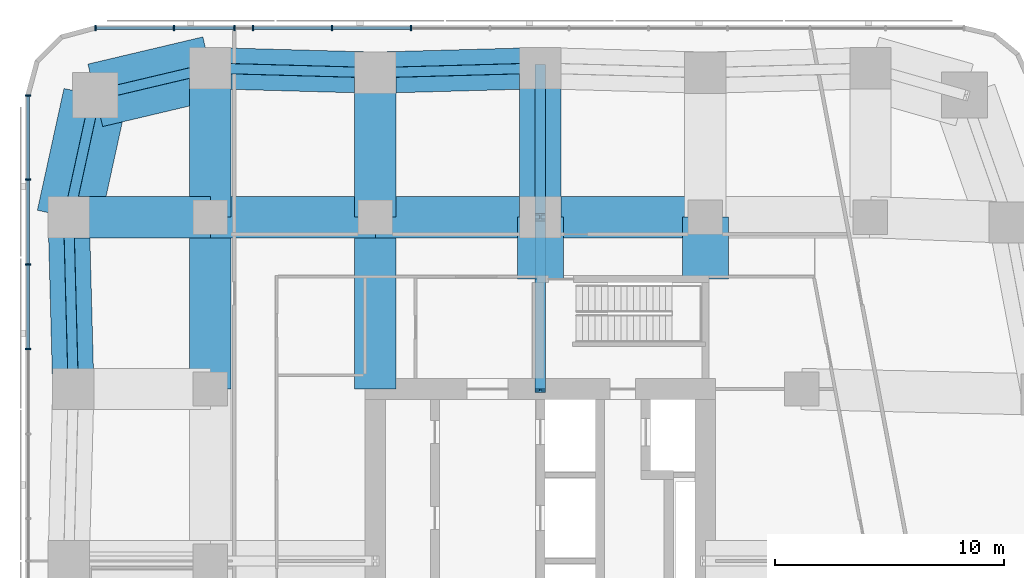
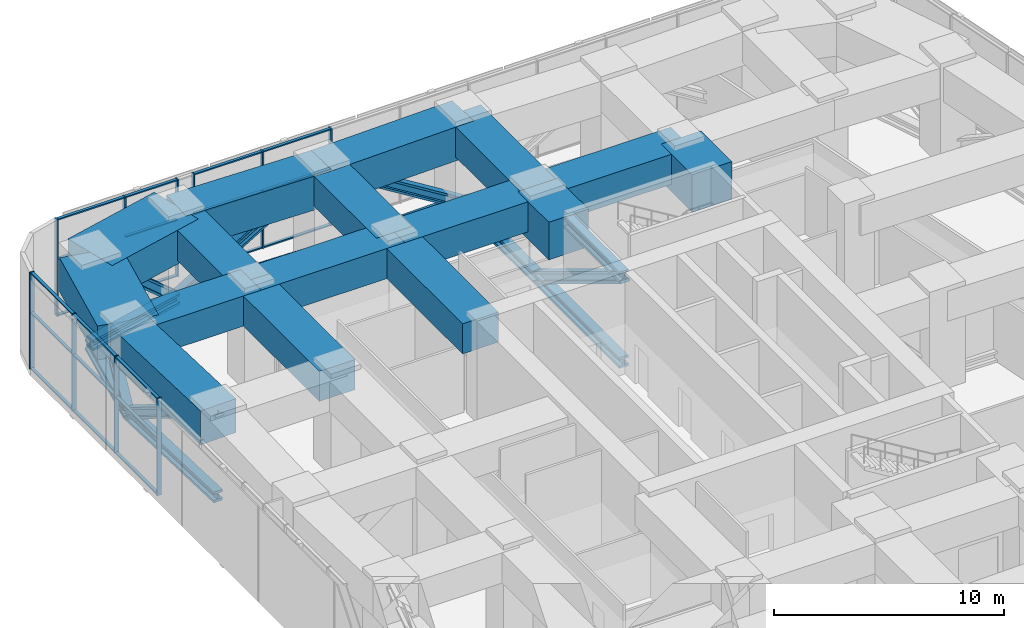
# One storey, part 7 of 17: 46 members, 16 beams, 2 elements without a shape of their own.
"""IFC4 building model written with IfcOpenShell, lengths in metres."""

from ifc_helpers import new_model, si_unit, direction, frame, origin, origin_2d, place, context, subcontext, project, spatial, rectangle, i_section, extrude, material, material_profile, profile_set, type_object, element, aggregate, save


model = new_model("IFC4")

# Units and contexts
model_context = context("Model", 3, precision=1e-05, world=origin(), true_north=direction((0.0, 1.0)))
body_context = subcontext(model_context, "Body", "Model", "MODEL_VIEW")
ifc_project = project(units=[si_unit("LENGTHUNIT", "METRE"), si_unit("AREAUNIT", "SQUARE_METRE"), si_unit("VOLUMEUNIT", "CUBIC_METRE"), si_unit("PLANEANGLEUNIT", "RADIAN"), si_unit("MASSUNIT", "GRAM", prefix="KILO")], contexts=[model_context])

# Site, building, storey
site_placement = place(None, origin())
site = spatial("IfcSite", under=ifc_project, at=site_placement, CompositionType="ELEMENT")
building_placement = place(site_placement, origin())
building = spatial("IfcBuilding", under=site, at=building_placement, Name="Sheger Commons Tower", CompositionType="ELEMENT")
storey_placement = place(building_placement, frame((0.0, 0.0, 188.300048828125)))
storey = spatial("IfcBuildingStorey", under=building, at=storey_placement, Name="L48", CompositionType="ELEMENT", Elevation=188.300048828125)

# Beams
ifc_material_1 = material(Name="Concrete C50/60", Category="concrete")
ifc_material_profile_1 = material_profile(ifc_material_1, rectangle(XDim=1.800048828125, YDim=1.60009765625, at=origin_2d()), Name="RC 1800x1600")
ifc_profile_set_1 = profile_set([ifc_material_profile_1], Name="Concrete C50/60")
beam_type_1 = type_object("IfcBeamType", Name="BEAM RC 1800x1600", PredefinedType="BEAM", material=ifc_profile_set_1)
beam_1_placement = place(storey_placement, frame((1.02490234375, 37.5, 4.349853515625), z_axis=(1.0, 0.0, 0.0), x_axis=(0.0, 1.0, 0.0)))
element("IfcBeam", 1, at=beam_1_placement, inside=storey, type_object=beam_type_1, Name="Beam 1/F-2/F under L49", PredefinedType="BEAM", context=body_context, shape_type="SweptSolid", body=[
    extrude(rectangle(XDim=1.800048828125, YDim=1.60009765625, at=origin_2d()), origin(), (0.0, 0.0, 1.0), 6.175048828125),
])
beam_2_placement = place(storey_placement, frame((7.199951171875, 37.5, 4.349853515625), z_axis=(1.0, 0.0, 0.0), x_axis=(0.0, 1.0, 0.0)))
element("IfcBeam", 2, at=beam_2_placement, inside=storey, type_object=beam_type_1, Name="Beam 2/F-3/F under L49", PredefinedType="BEAM", context=body_context, shape_type="SweptSolid", body=[
    extrude(rectangle(XDim=1.800048828125, YDim=1.60009765625, at=origin_2d()), origin(), (0.0, 0.0, 1.0), 7.199951171875),
])
beam_3_placement = place(storey_placement, frame((14.39990234375, 37.5, 4.349853515625), z_axis=(1.0, 0.0, 0.0), x_axis=(0.0, 1.0, 0.0)))
element("IfcBeam", 3, at=beam_3_placement, inside=storey, type_object=beam_type_1, Name="Beam 3/F-4/F under L49", PredefinedType="BEAM", context=body_context, shape_type="SweptSolid", body=[
    extrude(rectangle(XDim=1.800048828125, YDim=1.60009765625, at=origin_2d()), origin(), (0.0, 0.0, 1.0), 7.2001953125),
])
beam_4_placement = place(storey_placement, frame((21.60009765625, 37.5, 4.349853515625), z_axis=(1.0, 0.0, 0.0), x_axis=(0.0, 1.0, 0.0)))
element("IfcBeam", 4, at=beam_4_placement, inside=storey, type_object=beam_type_1, Name="Beam 4/F-5/F under L49", PredefinedType="BEAM", context=body_context, shape_type="SweptSolid", body=[
    extrude(rectangle(XDim=1.800048828125, YDim=1.60009765625, at=origin_2d()), origin(), (0.0, 0.0, 1.0), 7.199951171875),
])
beam_5_placement = place(storey_placement, frame((7.199951171875, 30.0, 4.349853515625), z_axis=(0.0, 1.0, 0.0), x_axis=(-1.0, 0.0, 0.0)))
element("IfcBeam", 5, at=beam_5_placement, inside=storey, type_object=beam_type_1, Name="Beam 2/E-2/F under L49", PredefinedType="BEAM", context=body_context, shape_type="SweptSolid", body=[
    extrude(rectangle(XDim=1.800048828125, YDim=1.60009765625, at=origin_2d()), origin(), (0.0, 0.0, 1.0), 7.5),
])
beam_6_placement = place(storey_placement, frame((7.199951171875, 37.5, 4.349853515625), z_axis=(0.0, 1.0, 0.0), x_axis=(-1.0, 0.0, 0.0)))
element("IfcBeam", 6, at=beam_6_placement, inside=storey, type_object=beam_type_1, Name="Beam 2/F-2/G under L49", PredefinedType="BEAM", context=body_context, shape_type="SweptSolid", body=[
    extrude(rectangle(XDim=1.800048828125, YDim=1.60009765625, at=origin_2d()), origin(), (0.0, 0.0, 1.0), 6.5),
])
beam_7_placement = place(storey_placement, frame((14.39990234375, 30.0, 4.349853515625), z_axis=(0.0, 1.0, 0.0), x_axis=(-1.0, 0.0, 0.0)))
element("IfcBeam", 7, at=beam_7_placement, inside=storey, type_object=beam_type_1, Name="Beam 3/E-3/F under L49", PredefinedType="BEAM", context=body_context, shape_type="SweptSolid", body=[
    extrude(rectangle(XDim=1.800048828125, YDim=1.60009765625, at=origin_2d()), origin(), (0.0, 0.0, 1.0), 7.5),
])
beam_8_placement = place(storey_placement, frame((14.39990234375, 37.5, 4.349853515625), z_axis=(0.0, 1.0, 0.0), x_axis=(-1.0, 0.0, 0.0)))
element("IfcBeam", 8, at=beam_8_placement, inside=storey, type_object=beam_type_1, Name="Beam 3/F-3/G under L49", PredefinedType="BEAM", context=body_context, shape_type="SweptSolid", body=[
    extrude(rectangle(XDim=1.800048828125, YDim=1.60009765625, at=origin_2d()), origin(), (0.0, 0.0, 1.0), 6.300048828125),
])
beam_9_placement = place(storey_placement, frame((21.60009765625, 37.5, 4.349853515625), z_axis=(0.0, 1.0, 0.0), x_axis=(-1.0, 0.0, 0.0)))
element("IfcBeam", 9, at=beam_9_placement, inside=storey, type_object=beam_type_1, Name="Beam 4/F-4/G under L49", PredefinedType="BEAM", context=body_context, shape_type="SweptSolid", body=[
    extrude(rectangle(XDim=1.800048828125, YDim=1.60009765625, at=origin_2d()), origin(), (0.0, 0.0, 1.0), 6.5),
])
ifc_material_2 = material(Name="Concrete C50/60", Category="concrete")
ifc_material_profile_2 = material_profile(ifc_material_2, rectangle(XDim=2.0, YDim=2.0, at=origin_2d()), Name="RC 2000x2000")
ifc_profile_set_2 = profile_set([ifc_material_profile_2], Name="Concrete C50/60")
beam_type_2 = type_object("IfcBeamType", Name="BEAM RC 2000x2000", PredefinedType="BEAM", material=ifc_profile_set_2)
for number, where, z_axis, x_axis, name in (
    (10, (21.60009765625, 34.800048828125, 4.14990234375), (0.0, 1.0, 0.0), (-1.0, 0.0, 0.0), "Beam 21.600,34.800-4/F under L49"),
    (11, (28.800048828125, 34.800048828125, 4.14990234375), (0.0, 1.0, 0.0), (-1.0, 0.0, 0.0), "Beam 28.800,34.800-5/F under L49"),
):
    element("IfcBeam", number, at=place(storey_placement, frame(where, z_axis=z_axis, x_axis=x_axis)), inside=storey, type_object=beam_type_2, Name=name, PredefinedType="BEAM", context=body_context, shape_type="SweptSolid", body=[
        extrude(rectangle(XDim=2.0, YDim=2.0, at=origin_2d()), origin(), (0.0, 0.0, 1.0), 2.699951171875),
    ])

# Members
ifc_material_3 = material(Name="Steel S460", Category="steel")
ifc_material_profile_3 = material_profile(ifc_material_3, i_section(OverallWidth=0.4541015625, OverallDepth=0.569091796875, WebThickness=0.077880859375, FlangeThickness=0.125, at=origin_2d()), Name="HD 400x1086")
ifc_profile_set_3 = profile_set([ifc_material_profile_3], Name="Steel S460")
member_type_1 = type_object("IfcMemberType", Name="BRACE HD 400x1086", PredefinedType="BRACE", material=ifc_profile_set_3)
member_1_placement = place(storey_placement, frame((21.60009765625, 30.0, 4.849853515625), z_axis=(0.0, 0.854977945215, -0.518664355046), x_axis=(-1.0, 0.0, 0.0)))
element("IfcMember", 12, at=member_1_placement, inside=storey, type_object=member_type_1, Name="Outrigger N diagonal 1", PredefinedType="BRACE", context=body_context, shape_type="SweptSolid", body=[
    extrude(i_section(OverallWidth=0.4541015625, OverallDepth=0.569091796875, WebThickness=0.077880859375, FlangeThickness=0.125, at=origin_2d()), origin(), (0.0, 0.0, 1.0), 8.772216796875),
])
member_2_placement = place(storey_placement, frame((21.60009765625, 37.5, 4.849853515625), z_axis=(0.0, 0.819243485241, -0.573445822977), x_axis=(-1.0, 0.0, 0.0)))
element("IfcMember", 13, at=member_2_placement, inside=storey, type_object=member_type_1, Name="Outrigger N diagonal 2", PredefinedType="BRACE", context=body_context, shape_type="SweptSolid", body=[
    extrude(i_section(OverallWidth=0.4541015625, OverallDepth=0.569091796875, WebThickness=0.077880859375, FlangeThickness=0.125, at=origin_2d()), origin(), (0.0, 0.0, 1.0), 7.93408203125),
])
ifc_material_4 = material(Name="Steel S460", Category="steel")
ifc_material_profile_4 = material_profile(ifc_material_4, i_section(OverallWidth=0.44189453125, OverallDepth=0.531005859375, WebThickness=0.06591796875, FlangeThickness=0.10595703125, at=origin_2d()), Name="HD 400x900")
ifc_profile_set_4 = profile_set([ifc_material_profile_4], Name="Steel S460")
member_type_2 = type_object("IfcMemberType", Name="BRACE HD 400x900", PredefinedType="BRACE", material=ifc_profile_set_4)
member_3_placement = place(storey_placement, frame((21.60009765625, 44.0, 0.300048828125), z_axis=(-0.845133422683, -0.023469560327, 0.534039958807), x_axis=(0.027759540951, -0.999614629688, 0.0)))
element("IfcMember", 14, at=member_3_placement, inside=storey, type_object=member_type_2, Name="Belt truss diagonal 21.600,44.000-14.400,43.800", PredefinedType="BRACE", context=body_context, shape_type="SweptSolid", body=[
    extrude(i_section(OverallWidth=0.44189453125, OverallDepth=0.531005859375, WebThickness=0.06591796875, FlangeThickness=0.10595703125, at=origin_2d()), origin(), (0.0, 0.0, 1.0), 8.51953125),
])
member_4_placement = place(storey_placement, frame((7.199951171875, 44.0, 0.300048828125), z_axis=(0.845125233845, -0.023470128735, 0.534052892677), x_axis=(0.027760481514, 0.999614603568, 0.0)))
element("IfcMember", 15, at=member_4_placement, inside=storey, type_object=member_type_2, Name="Belt truss diagonal 14.400,43.800-7.200,44.000", PredefinedType="BRACE", context=body_context, shape_type="SweptSolid", body=[
    extrude(i_section(OverallWidth=0.44189453125, OverallDepth=0.531005859375, WebThickness=0.06591796875, FlangeThickness=0.10595703125, at=origin_2d()), origin(), (0.0, 0.0, 1.0), 8.519287109375),
])
member_5_placement = place(storey_placement, frame((7.199951171875, 44.0, 0.300048828125), z_axis=(-0.729442491383, -0.172548649907, 0.661921910183), x_axis=(0.230195985701, -0.97314428949, 0.0)))
element("IfcMember", 16, at=member_5_placement, inside=storey, type_object=member_type_2, Name="Belt truss diagonal 7.200,44.000-2.186,42.814", PredefinedType="BRACE", context=body_context, shape_type="SweptSolid", body=[
    extrude(i_section(OverallWidth=0.44189453125, OverallDepth=0.531005859375, WebThickness=0.06591796875, FlangeThickness=0.10595703125, at=origin_2d()), origin(), (0.0, 0.0, 1.0), 6.87353515625),
])
member_6_placement = place(storey_placement, frame((1.02490234375, 37.5, 0.300048828125), z_axis=(0.16373943252, 0.74935922797, 0.641599677131), x_axis=(-0.976949769283, 0.213469314652, 0.0)))
element("IfcMember", 17, at=member_6_placement, inside=storey, type_object=member_type_2, Name="Belt truss diagonal 2.186,42.814-1+1025/F", PredefinedType="BRACE", context=body_context, shape_type="SweptSolid", body=[
    extrude(i_section(OverallWidth=0.44189453125, OverallDepth=0.531005859375, WebThickness=0.06591796875, FlangeThickness=0.10595703125, at=origin_2d()), origin(), (0.0, 0.0, 1.0), 7.09130859375),
])
member_7_placement = place(storey_placement, frame((1.02490234375, 37.5, 0.300048828125), z_axis=(0.022815736149, -0.854755383521, 0.518529340081), x_axis=(0.999643939919, 0.026683204125, 0.0)))
element("IfcMember", 18, at=member_7_placement, inside=storey, type_object=member_type_2, Name="Belt truss diagonal 1+1025/F-1+1225/E", PredefinedType="BRACE", context=body_context, shape_type="SweptSolid", body=[
    extrude(i_section(OverallWidth=0.44189453125, OverallDepth=0.531005859375, WebThickness=0.06591796875, FlangeThickness=0.10595703125, at=origin_2d()), origin(), (0.0, 0.0, 1.0), 8.7744140625),
])
ifc_material_5 = material(Name="Steel S460", Category="steel")
ifc_material_profile_5 = material_profile(ifc_material_5, i_section(OverallWidth=0.4541015625, OverallDepth=0.569091796875, WebThickness=0.077880859375, FlangeThickness=0.125, at=origin_2d()), Name="HD 400x1086")
ifc_profile_set_5 = profile_set([ifc_material_profile_5], Name="Steel S460")
member_type_3 = type_object("IfcMemberType", Name="CHORD HD 400x1086", PredefinedType="CHORD", material=ifc_profile_set_5)
member_8_placement = place(storey_placement, frame((21.60009765625, 44.0, 0.300048828125), z_axis=(-0.999614629688, -0.027759540951, 0.0), x_axis=(0.027759540951, -0.999614629688, 0.0)))
element("IfcMember", 19, at=member_8_placement, inside=storey, type_object=member_type_3, Name="Belt truss bottom chord 21.600,44.000-14.400,43.800", PredefinedType="CHORD", context=body_context, shape_type="SweptSolid", body=[
    extrude(i_section(OverallWidth=0.4541015625, OverallDepth=0.569091796875, WebThickness=0.077880859375, FlangeThickness=0.125, at=origin_2d()), origin(), (0.0, 0.0, 1.0), 7.202880859375),
])
member_9_placement = place(storey_placement, frame((14.39990234375, 43.800048828125, 0.300048828125), z_axis=(-0.999614603568, 0.027760481514, 0.0), x_axis=(-0.027760481514, -0.999614603568, 0.0)))
element("IfcMember", 20, at=member_9_placement, inside=storey, type_object=member_type_3, Name="Belt truss bottom chord 14.400,43.800-7.200,44.000", PredefinedType="CHORD", context=body_context, shape_type="SweptSolid", body=[
    extrude(i_section(OverallWidth=0.4541015625, OverallDepth=0.569091796875, WebThickness=0.077880859375, FlangeThickness=0.125, at=origin_2d()), origin(), (0.0, 0.0, 1.0), 7.20263671875),
])
member_10_placement = place(storey_placement, frame((7.199951171875, 44.0, 0.300048828125), z_axis=(-0.97314428949, -0.230195985701, 0.0), x_axis=(0.230195985701, -0.97314428949, 0.0)))
element("IfcMember", 21, at=member_10_placement, inside=storey, type_object=member_type_3, Name="Belt truss bottom chord 7.200,44.000-2.186,42.814", PredefinedType="CHORD", context=body_context, shape_type="SweptSolid", body=[
    extrude(i_section(OverallWidth=0.4541015625, OverallDepth=0.569091796875, WebThickness=0.077880859375, FlangeThickness=0.125, at=origin_2d()), origin(), (0.0, 0.0, 1.0), 5.15234375),
])
member_11_placement = place(storey_placement, frame((2.18603515625, 42.81396484375, 0.300048828125), z_axis=(-0.213469314652, -0.976949769283, 0.0), x_axis=(0.976949769283, -0.213469314652, 0.0)))
element("IfcMember", 22, at=member_11_placement, inside=storey, type_object=member_type_3, Name="Belt truss bottom chord 2.186,42.814-1+1025/F", PredefinedType="CHORD", context=body_context, shape_type="SweptSolid", body=[
    extrude(i_section(OverallWidth=0.4541015625, OverallDepth=0.569091796875, WebThickness=0.077880859375, FlangeThickness=0.125, at=origin_2d()), origin(), (0.0, 0.0, 1.0), 5.439453125),
])
member_12_placement = place(storey_placement, frame((1.02490234375, 37.5, 0.300048828125), z_axis=(0.026683204125, -0.999643939919, 0.0), x_axis=(0.999643939919, 0.026683204125, 0.0)))
element("IfcMember", 23, at=member_12_placement, inside=storey, type_object=member_type_3, Name="Belt truss bottom chord 1+1025/F-1+1225/E", PredefinedType="CHORD", context=body_context, shape_type="SweptSolid", body=[
    extrude(i_section(OverallWidth=0.4541015625, OverallDepth=0.569091796875, WebThickness=0.077880859375, FlangeThickness=0.125, at=origin_2d()), origin(), (0.0, 0.0, 1.0), 7.502685546875),
])
for number, where, z_axis, x_axis, name in (
    (24, (21.60009765625, 30.0, 0.300048828125), (0.0, 1.0, 0.0), (-1.0, 0.0, 0.0), "Outrigger N bottom chord 4/E-4/F"),
    (25, (21.60009765625, 30.0, 4.849853515625), (0.0, 1.0, 0.0), (-1.0, 0.0, 0.0), "Outrigger N top chord 4/E-4/F"),
):
    element("IfcMember", number, at=place(storey_placement, frame(where, z_axis=z_axis, x_axis=x_axis)), inside=storey, type_object=member_type_3, Name=name, PredefinedType="CHORD", context=body_context, shape_type="SweptSolid", body=[
        extrude(i_section(OverallWidth=0.4541015625, OverallDepth=0.569091796875, WebThickness=0.077880859375, FlangeThickness=0.125, at=origin_2d()), origin(), (0.0, 0.0, 1.0), 7.5),
    ])
member_13_placement = place(storey_placement, frame((21.60009765625, 37.5, 0.300048828125), z_axis=(0.0, 1.0, 0.0), x_axis=(-1.0, 0.0, 0.0)))
element("IfcMember", 26, at=member_13_placement, inside=storey, type_object=member_type_3, Name="Outrigger N bottom chord 4/F-21.600,44.000", PredefinedType="CHORD", context=body_context, shape_type="SweptSolid", body=[
    extrude(i_section(OverallWidth=0.4541015625, OverallDepth=0.569091796875, WebThickness=0.077880859375, FlangeThickness=0.125, at=origin_2d()), origin(), (0.0, 0.0, 1.0), 6.5),
])

# Curtain wall, members
ifc_material_6 = material(Name="Black aluminium curtain wall, dark tinted glazing", Category="aluminium")
curtain_wall_type = type_object("IfcCurtainWallType", Name="CURTAIN WALL CW3 SKY FLOOR", PredefinedType="USERDEFINED", material=ifc_material_6)
curtain_wall_1_placement = place(storey_placement, origin())
curtain_wall_1 = element("IfcCurtainWall", 27, at=curtain_wall_1_placement, inside=storey, type_object=curtain_wall_type, Name="Curtain Wall Cw3 Sky Floor N1 L48", ObjectType="UNITISED CURTAIN WALL", PredefinedType="USERDEFINED")
ifc_material_7 = material(Name="Black anodised aluminium", Category="aluminium")
ifc_material_profile_6 = material_profile(ifc_material_7, rectangle(XDim=0.22509765625, YDim=0.06494140625, at=origin_2d()), Name="AL 65x225")
ifc_profile_set_6 = profile_set([ifc_material_profile_6], Name="Black anodised aluminium")
member_type_4 = type_object("IfcMemberType", Name="MULLION AL 65x225", PredefinedType="MULLION", material=ifc_profile_set_6)
member_14_placement = place(storey_placement, frame((15.9599609375, 45.75, 0.0), z_axis=(0.0, 0.0, 1.0), x_axis=(0.0, -1.0, 0.0)))
member_14 = element("IfcMember", 28, at=member_14_placement, type_object=member_type_4, Name="CW3 mullion 8", PredefinedType="MULLION", context=body_context, shape_type="SweptSolid", body=[
    extrude(rectangle(XDim=0.22509765625, YDim=0.06494140625, at=origin_2d()), origin(), (0.0, 0.0, 1.0), 5.14990234375),
])
member_15_placement = place(storey_placement, frame((12.510986328125, 45.75, 0.0), z_axis=(0.0, 0.0, 1.0), x_axis=(0.0, -1.0, 0.0)))
member_15 = element("IfcMember", 29, at=member_15_placement, type_object=member_type_4, Name="CW3 mullion 9", PredefinedType="MULLION", context=body_context, shape_type="SweptSolid", body=[
    extrude(rectangle(XDim=0.22509765625, YDim=0.06494140625, at=origin_2d()), origin(), (0.0, 0.0, 1.0), 5.14990234375),
])
member_16_placement = place(storey_placement, frame((9.06201171875, 45.75, 0.0), z_axis=(0.0, 0.0, 1.0), x_axis=(0.0, -1.0, 0.0)))
member_16 = element("IfcMember", 30, at=member_16_placement, type_object=member_type_4, Name="CW3 mullion 10", PredefinedType="MULLION", context=body_context, shape_type="SweptSolid", body=[
    extrude(rectangle(XDim=0.22509765625, YDim=0.06494140625, at=origin_2d()), origin(), (0.0, 0.0, 1.0), 5.14990234375),
])
member_17_placement = place(storey_placement, frame((8.25, 45.75, 0.0), z_axis=(0.0, 0.0, 1.0), x_axis=(0.0, -1.0, 0.0)))
member_17 = element("IfcMember", 31, at=member_17_placement, type_object=member_type_4, Name="CW3 mullion 11", PredefinedType="MULLION", context=body_context, shape_type="SweptSolid", body=[
    extrude(rectangle(XDim=0.22509765625, YDim=0.06494140625, at=origin_2d()), origin(), (0.0, 0.0, 1.0), 5.14990234375),
])
member_18_placement = place(storey_placement, frame((5.612060546875, 45.75, 0.0), z_axis=(0.0, 0.0, 1.0), x_axis=(0.0, -1.0, 0.0)))
member_18 = element("IfcMember", 32, at=member_18_placement, type_object=member_type_4, Name="CW3 mullion 12", PredefinedType="MULLION", context=body_context, shape_type="SweptSolid", body=[
    extrude(rectangle(XDim=0.22509765625, YDim=0.06494140625, at=origin_2d()), origin(), (0.0, 0.0, 1.0), 5.14990234375),
])
member_19_placement = place(storey_placement, frame((2.195556640625, 45.75, 0.0), z_axis=(0.0, 0.0, 1.0), x_axis=(0.0, -1.0, 0.0)))
member_19 = element("IfcMember", 33, at=member_19_placement, type_object=member_type_4, Name="CW3 mullion 13", PredefinedType="MULLION", context=body_context, shape_type="SweptSolid", body=[
    extrude(rectangle(XDim=0.22509765625, YDim=0.06494140625, at=origin_2d()), origin(), (0.0, 0.0, 1.0), 5.14990234375),
])

curtain_wall_2_placement = place(storey_placement, origin())
curtain_wall_2 = element("IfcCurtainWall", 34, at=curtain_wall_2_placement, inside=storey, type_object=curtain_wall_type, Name="Curtain Wall Cw3 Sky Floor W1 L48", ObjectType="UNITISED CURTAIN WALL", PredefinedType="USERDEFINED")
member_20_placement = place(storey_placement, frame((-0.75, 42.804443359375, 0.0), z_axis=(0.0, 0.0, 1.0), x_axis=(1.0, 0.0, 0.0)))
member_20 = element("IfcMember", 35, at=member_20_placement, type_object=member_type_4, Name="CW3 mullion 1", PredefinedType="MULLION", context=body_context, shape_type="SweptSolid", body=[
    extrude(rectangle(XDim=0.22509765625, YDim=0.06494140625, at=origin_2d()), origin(), (0.0, 0.0, 1.0), 5.14990234375),
])
member_21_placement = place(storey_placement, frame((-0.75, 39.138916015625, 0.0), z_axis=(0.0, 0.0, 1.0), x_axis=(1.0, 0.0, 0.0)))
member_21 = element("IfcMember", 36, at=member_21_placement, type_object=member_type_4, Name="CW3 mullion 2", PredefinedType="MULLION", context=body_context, shape_type="SweptSolid", body=[
    extrude(rectangle(XDim=0.22509765625, YDim=0.06494140625, at=origin_2d()), origin(), (0.0, 0.0, 1.0), 5.14990234375),
])
member_22_placement = place(storey_placement, frame((-0.75, 35.44189453125, 0.0), z_axis=(0.0, 0.0, 1.0), x_axis=(1.0, 0.0, 0.0)))
member_22 = element("IfcMember", 37, at=member_22_placement, type_object=member_type_4, Name="CW3 mullion 3", PredefinedType="MULLION", context=body_context, shape_type="SweptSolid", body=[
    extrude(rectangle(XDim=0.22509765625, YDim=0.06494140625, at=origin_2d()), origin(), (0.0, 0.0, 1.0), 5.14990234375),
])
member_23_placement = place(storey_placement, frame((-0.75, 31.743896484375, 0.0), z_axis=(0.0, 0.0, 1.0), x_axis=(1.0, 0.0, 0.0)))
member_23 = element("IfcMember", 38, at=member_23_placement, type_object=member_type_4, Name="CW3 mullion 4", PredefinedType="MULLION", context=body_context, shape_type="SweptSolid", body=[
    extrude(rectangle(XDim=0.22509765625, YDim=0.06494140625, at=origin_2d()), origin(), (0.0, 0.0, 1.0), 5.14990234375),
])

# Beams
ifc_material_8 = material(Name="Concrete C50/60", Category="concrete")
ifc_material_profile_7 = material_profile(ifc_material_8, rectangle(XDim=1.800048828125, YDim=1.800048828125, at=origin_2d()), Name="RC 1800x1800")
ifc_profile_set_7 = profile_set([ifc_material_profile_7], Name="Concrete C50/60")
beam_type_3 = type_object("IfcBeamType", Name="SPANDREL RC 1800x1800", PredefinedType="SPANDREL", material=ifc_profile_set_7)
beam_10_placement = place(storey_placement, frame((21.60009765625, 44.0, 4.25), z_axis=(-0.999614629688, -0.027759540951, 0.0), x_axis=(0.027759540951, -0.999614629688, 0.0)))
element("IfcBeam", 39, at=beam_10_placement, inside=storey, type_object=beam_type_3, Name="Beam 4/G-3/G under L49", PredefinedType="SPANDREL", context=body_context, shape_type="SweptSolid", body=[
    extrude(rectangle(XDim=1.800048828125, YDim=1.800048828125, at=origin_2d()), origin(), (0.0, 0.0, 1.0), 7.202880859375),
])
beam_11_placement = place(storey_placement, frame((14.39990234375, 43.800048828125, 4.25), z_axis=(-0.999614603568, 0.027760481514, 0.0), x_axis=(-0.027760481514, -0.999614603568, 0.0)))
element("IfcBeam", 40, at=beam_11_placement, inside=storey, type_object=beam_type_3, Name="Beam 3/G-2/G under L49", PredefinedType="SPANDREL", context=body_context, shape_type="SweptSolid", body=[
    extrude(rectangle(XDim=1.800048828125, YDim=1.800048828125, at=origin_2d()), origin(), (0.0, 0.0, 1.0), 7.20263671875),
])
beam_12_placement = place(storey_placement, frame((1.02490234375, 37.5, 4.25), z_axis=(0.026683204125, -0.999643939919, 0.0), x_axis=(0.999643939919, 0.026683204125, 0.0)))
element("IfcBeam", 41, at=beam_12_placement, inside=storey, type_object=beam_type_3, Name="Beam 1/F-1/E under L49", PredefinedType="SPANDREL", context=body_context, shape_type="SweptSolid", body=[
    extrude(rectangle(XDim=1.800048828125, YDim=1.800048828125, at=origin_2d()), origin(), (0.0, 0.0, 1.0), 7.502685546875),
])
ifc_material_9 = material(Name="Concrete C50/60", Category="concrete")
ifc_material_profile_8 = material_profile(ifc_material_9, rectangle(XDim=2.800048828125, YDim=1.800048828125, at=origin_2d()), Name="RC 2800x1800")
ifc_profile_set_8 = profile_set([ifc_material_profile_8], Name="Concrete C50/60")
beam_type_4 = type_object("IfcBeamType", Name="SPANDREL RC 2800x1800", PredefinedType="SPANDREL", material=ifc_profile_set_8)
beam_13_placement = place(storey_placement, frame((7.199951171875, 44.0, 4.25), z_axis=(-0.97314428949, -0.230195985701, 0.0), x_axis=(0.230195985701, -0.97314428949, 0.0)))
element("IfcBeam", 42, at=beam_13_placement, inside=storey, type_object=beam_type_4, Name="Beam 2/G-0.630,44.370 under L49", PredefinedType="SPANDREL", context=body_context, shape_type="SweptSolid", body=[
    extrude(rectangle(XDim=2.800048828125, YDim=1.800048828125, at=origin_2d()), origin(), (0.0, 0.0, 1.0), 5.15234375),
])
beam_14_placement = place(storey_placement, frame((2.18603515625, 42.81396484375, 4.25), z_axis=(-0.213469314652, -0.976949769283, 0.0), x_axis=(0.976949769283, -0.213469314652, 0.0)))
element("IfcBeam", 43, at=beam_14_placement, inside=storey, type_object=beam_type_4, Name="Beam 0.630,44.370-1/F under L49", PredefinedType="SPANDREL", context=body_context, shape_type="SweptSolid", body=[
    extrude(rectangle(XDim=2.800048828125, YDim=1.800048828125, at=origin_2d()), origin(), (0.0, 0.0, 1.0), 5.439453125),
])

# Member
ifc_material_10 = material(Name="Black anodised aluminium", Category="aluminium")
ifc_material_profile_9 = material_profile(ifc_material_10, rectangle(XDim=0.14990234375, YDim=0.06494140625, at=origin_2d()), Name="AL 65x150")
ifc_profile_set_9 = profile_set([ifc_material_profile_9], Name="Black anodised aluminium")
member_type_5 = type_object("IfcMemberType", Name="TRANSOM AL 65x150", PredefinedType="USERDEFINED", material=ifc_profile_set_9)
member_24_placement = place(storey_placement, frame((15.927490234375, 45.75, 0.032470703125), z_axis=(-1.0, 0.0, 0.0), x_axis=(0.0, -1.0, 0.0)))
member_24 = element("IfcMember", 44, at=member_24_placement, type_object=member_type_5, Name="CW3 transom 8.1", ObjectType="TRANSOM", PredefinedType="USERDEFINED", context=body_context, shape_type="SweptSolid", body=[
    extrude(rectangle(XDim=0.14990234375, YDim=0.06494140625, at=origin_2d()), origin(), (0.0, 0.0, 1.0), 3.384033203125),
])

member_25_placement = place(storey_placement, frame((15.927490234375, 45.75, 3.0), z_axis=(-1.0, 0.0, 0.0), x_axis=(0.0, -1.0, 0.0)))
member_25 = element("IfcMember", 45, at=member_25_placement, type_object=member_type_5, Name="CW3 transom 8.2", ObjectType="TRANSOM", PredefinedType="USERDEFINED", context=body_context, shape_type="SweptSolid", body=[
    extrude(rectangle(XDim=0.14990234375, YDim=0.06494140625, at=origin_2d()), origin(), (0.0, 0.0, 1.0), 3.384033203125),
])

member_26_placement = place(storey_placement, frame((15.927490234375, 45.75, 5.117431640625), z_axis=(-1.0, 0.0, 0.0), x_axis=(0.0, -1.0, 0.0)))
member_26 = element("IfcMember", 46, at=member_26_placement, type_object=member_type_5, Name="CW3 transom 8.3", ObjectType="TRANSOM", PredefinedType="USERDEFINED", context=body_context, shape_type="SweptSolid", body=[
    extrude(rectangle(XDim=0.14990234375, YDim=0.06494140625, at=origin_2d()), origin(), (0.0, 0.0, 1.0), 3.384033203125),
])

member_27_placement = place(storey_placement, frame((12.478515625, 45.75, 0.032470703125), z_axis=(-1.0, 0.0, 0.0), x_axis=(0.0, -1.0, 0.0)))
member_27 = element("IfcMember", 47, at=member_27_placement, type_object=member_type_5, Name="CW3 transom 9.1", ObjectType="TRANSOM", PredefinedType="USERDEFINED", context=body_context, shape_type="SweptSolid", body=[
    extrude(rectangle(XDim=0.14990234375, YDim=0.06494140625, at=origin_2d()), origin(), (0.0, 0.0, 1.0), 3.384033203125),
])

member_28_placement = place(storey_placement, frame((12.478515625, 45.75, 3.0), z_axis=(-1.0, 0.0, 0.0), x_axis=(0.0, -1.0, 0.0)))
member_28 = element("IfcMember", 48, at=member_28_placement, type_object=member_type_5, Name="CW3 transom 9.2", ObjectType="TRANSOM", PredefinedType="USERDEFINED", context=body_context, shape_type="SweptSolid", body=[
    extrude(rectangle(XDim=0.14990234375, YDim=0.06494140625, at=origin_2d()), origin(), (0.0, 0.0, 1.0), 3.384033203125),
])

member_29_placement = place(storey_placement, frame((12.478515625, 45.75, 5.117431640625), z_axis=(-1.0, 0.0, 0.0), x_axis=(0.0, -1.0, 0.0)))
member_29 = element("IfcMember", 49, at=member_29_placement, type_object=member_type_5, Name="CW3 transom 9.3", ObjectType="TRANSOM", PredefinedType="USERDEFINED", context=body_context, shape_type="SweptSolid", body=[
    extrude(rectangle(XDim=0.14990234375, YDim=0.06494140625, at=origin_2d()), origin(), (0.0, 0.0, 1.0), 3.384033203125),
])

member_30_placement = place(storey_placement, frame((8.217529296875, 45.75, 0.032470703125), z_axis=(-1.0, 0.0, 0.0), x_axis=(0.0, -1.0, 0.0)))
member_30 = element("IfcMember", 50, at=member_30_placement, type_object=member_type_5, Name="CW3 transom 11.1", ObjectType="TRANSOM", PredefinedType="USERDEFINED", context=body_context, shape_type="SweptSolid", body=[
    extrude(rectangle(XDim=0.14990234375, YDim=0.06494140625, at=origin_2d()), origin(), (0.0, 0.0, 1.0), 2.572998046875),
])

member_31_placement = place(storey_placement, frame((8.217529296875, 45.75, 3.0), z_axis=(-1.0, 0.0, 0.0), x_axis=(0.0, -1.0, 0.0)))
member_31 = element("IfcMember", 51, at=member_31_placement, type_object=member_type_5, Name="CW3 transom 11.2", ObjectType="TRANSOM", PredefinedType="USERDEFINED", context=body_context, shape_type="SweptSolid", body=[
    extrude(rectangle(XDim=0.14990234375, YDim=0.06494140625, at=origin_2d()), origin(), (0.0, 0.0, 1.0), 2.572998046875),
])

member_32_placement = place(storey_placement, frame((8.217529296875, 45.75, 5.117431640625), z_axis=(-1.0, 0.0, 0.0), x_axis=(0.0, -1.0, 0.0)))
member_32 = element("IfcMember", 52, at=member_32_placement, type_object=member_type_5, Name="CW3 transom 11.3", ObjectType="TRANSOM", PredefinedType="USERDEFINED", context=body_context, shape_type="SweptSolid", body=[
    extrude(rectangle(XDim=0.14990234375, YDim=0.06494140625, at=origin_2d()), origin(), (0.0, 0.0, 1.0), 2.572998046875),
])

member_33_placement = place(storey_placement, frame((5.57958984375, 45.75, 0.032470703125), z_axis=(-1.0, 0.0, 0.0), x_axis=(0.0, -1.0, 0.0)))
member_33 = element("IfcMember", 53, at=member_33_placement, type_object=member_type_5, Name="CW3 transom 12.1", ObjectType="TRANSOM", PredefinedType="USERDEFINED", context=body_context, shape_type="SweptSolid", body=[
    extrude(rectangle(XDim=0.14990234375, YDim=0.06494140625, at=origin_2d()), origin(), (0.0, 0.0, 1.0), 3.3515625),
])

member_34_placement = place(storey_placement, frame((5.57958984375, 45.75, 3.0), z_axis=(-1.0, 0.0, 0.0), x_axis=(0.0, -1.0, 0.0)))
member_34 = element("IfcMember", 54, at=member_34_placement, type_object=member_type_5, Name="CW3 transom 12.2", ObjectType="TRANSOM", PredefinedType="USERDEFINED", context=body_context, shape_type="SweptSolid", body=[
    extrude(rectangle(XDim=0.14990234375, YDim=0.06494140625, at=origin_2d()), origin(), (0.0, 0.0, 1.0), 3.3515625),
])

member_35_placement = place(storey_placement, frame((5.57958984375, 45.75, 5.117431640625), z_axis=(-1.0, 0.0, 0.0), x_axis=(0.0, -1.0, 0.0)))
member_35 = element("IfcMember", 55, at=member_35_placement, type_object=member_type_5, Name="CW3 transom 12.3", ObjectType="TRANSOM", PredefinedType="USERDEFINED", context=body_context, shape_type="SweptSolid", body=[
    extrude(rectangle(XDim=0.14990234375, YDim=0.06494140625, at=origin_2d()), origin(), (0.0, 0.0, 1.0), 3.3515625),
])

aggregate(curtain_wall_1, [member_14, member_15, member_16, member_17, member_18, member_19, member_24, member_25, member_26, member_27, member_28, member_29, member_30, member_31, member_32, member_33, member_34, member_35])

member_36_placement = place(storey_placement, frame((-0.75, 42.77197265625, 0.032470703125), z_axis=(0.0, -1.0, 0.0), x_axis=(1.0, 0.0, 0.0)))
member_36 = element("IfcMember", 56, at=member_36_placement, type_object=member_type_5, Name="CW3 transom 1.1", ObjectType="TRANSOM", PredefinedType="USERDEFINED", context=body_context, shape_type="SweptSolid", body=[
    extrude(rectangle(XDim=0.14990234375, YDim=0.06494140625, at=origin_2d()), origin(), (0.0, 0.0, 1.0), 3.6005859375),
])

member_37_placement = place(storey_placement, frame((-0.75, 42.77197265625, 3.0), z_axis=(0.0, -1.0, 0.0), x_axis=(1.0, 0.0, 0.0)))
member_37 = element("IfcMember", 57, at=member_37_placement, type_object=member_type_5, Name="CW3 transom 1.2", ObjectType="TRANSOM", PredefinedType="USERDEFINED", context=body_context, shape_type="SweptSolid", body=[
    extrude(rectangle(XDim=0.14990234375, YDim=0.06494140625, at=origin_2d()), origin(), (0.0, 0.0, 1.0), 3.6005859375),
])

member_38_placement = place(storey_placement, frame((-0.75, 42.77197265625, 5.117431640625), z_axis=(0.0, -1.0, 0.0), x_axis=(1.0, 0.0, 0.0)))
member_38 = element("IfcMember", 58, at=member_38_placement, type_object=member_type_5, Name="CW3 transom 1.3", ObjectType="TRANSOM", PredefinedType="USERDEFINED", context=body_context, shape_type="SweptSolid", body=[
    extrude(rectangle(XDim=0.14990234375, YDim=0.06494140625, at=origin_2d()), origin(), (0.0, 0.0, 1.0), 3.6005859375),
])

member_39_placement = place(storey_placement, frame((-0.75, 39.1064453125, 0.032470703125), z_axis=(0.0, -1.0, 0.0), x_axis=(1.0, 0.0, 0.0)))
member_39 = element("IfcMember", 59, at=member_39_placement, type_object=member_type_5, Name="CW3 transom 2.1", ObjectType="TRANSOM", PredefinedType="USERDEFINED", context=body_context, shape_type="SweptSolid", body=[
    extrude(rectangle(XDim=0.14990234375, YDim=0.06494140625, at=origin_2d()), origin(), (0.0, 0.0, 1.0), 3.6318359375),
])

member_40_placement = place(storey_placement, frame((-0.75, 39.1064453125, 3.0), z_axis=(0.0, -1.0, 0.0), x_axis=(1.0, 0.0, 0.0)))
member_40 = element("IfcMember", 60, at=member_40_placement, type_object=member_type_5, Name="CW3 transom 2.2", ObjectType="TRANSOM", PredefinedType="USERDEFINED", context=body_context, shape_type="SweptSolid", body=[
    extrude(rectangle(XDim=0.14990234375, YDim=0.06494140625, at=origin_2d()), origin(), (0.0, 0.0, 1.0), 3.6318359375),
])

member_41_placement = place(storey_placement, frame((-0.75, 39.1064453125, 5.117431640625), z_axis=(0.0, -1.0, 0.0), x_axis=(1.0, 0.0, 0.0)))
member_41 = element("IfcMember", 61, at=member_41_placement, type_object=member_type_5, Name="CW3 transom 2.3", ObjectType="TRANSOM", PredefinedType="USERDEFINED", context=body_context, shape_type="SweptSolid", body=[
    extrude(rectangle(XDim=0.14990234375, YDim=0.06494140625, at=origin_2d()), origin(), (0.0, 0.0, 1.0), 3.6318359375),
])

member_42_placement = place(storey_placement, frame((-0.75, 35.409423828125, 0.032470703125), z_axis=(0.0, -1.0, 0.0), x_axis=(1.0, 0.0, 0.0)))
member_42 = element("IfcMember", 62, at=member_42_placement, type_object=member_type_5, Name="CW3 transom 3.1", ObjectType="TRANSOM", PredefinedType="USERDEFINED", context=body_context, shape_type="SweptSolid", body=[
    extrude(rectangle(XDim=0.14990234375, YDim=0.06494140625, at=origin_2d()), origin(), (0.0, 0.0, 1.0), 3.6328125),
])

member_43_placement = place(storey_placement, frame((-0.75, 35.409423828125, 3.0), z_axis=(0.0, -1.0, 0.0), x_axis=(1.0, 0.0, 0.0)))
member_43 = element("IfcMember", 63, at=member_43_placement, type_object=member_type_5, Name="CW3 transom 3.2", ObjectType="TRANSOM", PredefinedType="USERDEFINED", context=body_context, shape_type="SweptSolid", body=[
    extrude(rectangle(XDim=0.14990234375, YDim=0.06494140625, at=origin_2d()), origin(), (0.0, 0.0, 1.0), 3.6328125),
])

member_44_placement = place(storey_placement, frame((-0.75, 35.409423828125, 5.117431640625), z_axis=(0.0, -1.0, 0.0), x_axis=(1.0, 0.0, 0.0)))
member_44 = element("IfcMember", 64, at=member_44_placement, type_object=member_type_5, Name="CW3 transom 3.3", ObjectType="TRANSOM", PredefinedType="USERDEFINED", context=body_context, shape_type="SweptSolid", body=[
    extrude(rectangle(XDim=0.14990234375, YDim=0.06494140625, at=origin_2d()), origin(), (0.0, 0.0, 1.0), 3.6328125),
])

aggregate(curtain_wall_2, [member_20, member_21, member_22, member_23, member_36, member_37, member_38, member_39, member_40, member_41, member_42, member_43, member_44])

save(model, "model.ifc")
